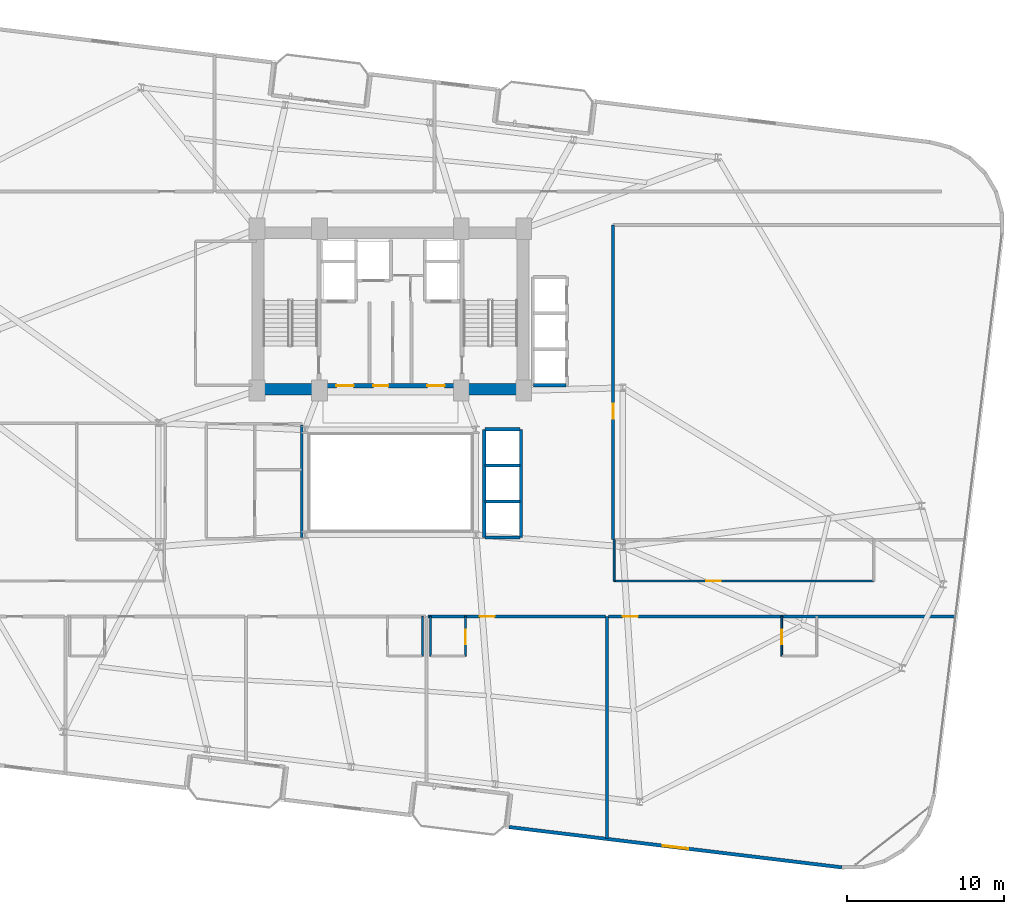
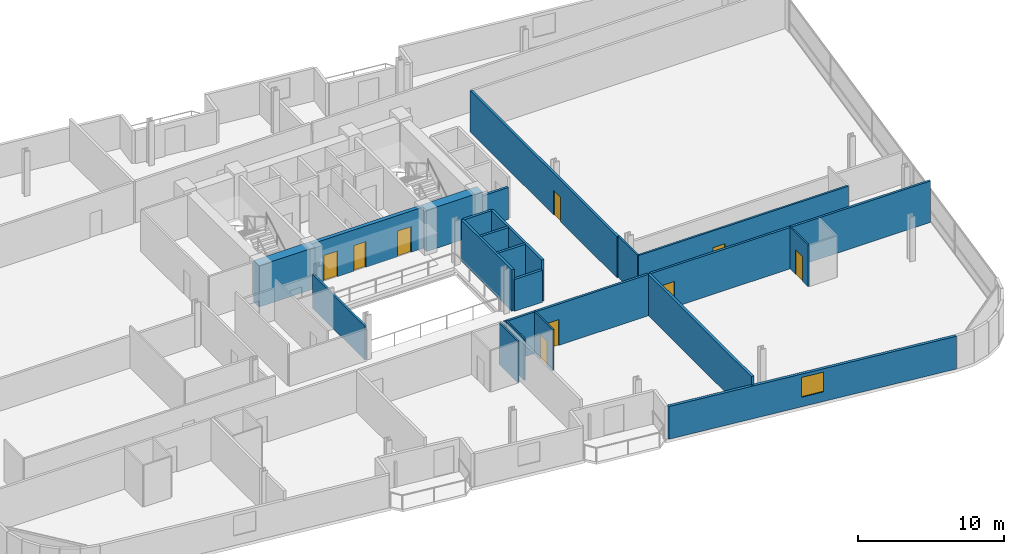
# One storey, part 21 of 25: 22 walls, 9 doors, 1 window, 10 openings.
"""IFC4 building model written with IfcOpenShell, lengths in metres."""

from ifc_helpers import new_model, si_unit, direction, frame, frame_2d, origin, place, context, subcontext, project, spatial, rectangle, extrude, material, layer, layer_set, type_object, element, fill, save


model = new_model("IFC4")

# Units and contexts
model_context = context("Model", 3, precision=1e-05, world=origin(), true_north=direction((0.0, 1.0)))
body_context = subcontext(model_context, "Body", "Model", "MODEL_VIEW")
ifc_project = project(units=[si_unit("LENGTHUNIT", "METRE"), si_unit("AREAUNIT", "SQUARE_METRE"), si_unit("VOLUMEUNIT", "CUBIC_METRE"), si_unit("PLANEANGLEUNIT", "RADIAN"), si_unit("MASSUNIT", "GRAM", prefix="KILO")], contexts=[model_context])

# Site, building, storey
site_placement = place(None, origin())
site = spatial("IfcSite", under=ifc_project, at=site_placement, CompositionType="ELEMENT")
building_placement = place(site_placement, origin())
building = spatial("IfcBuilding", under=site, at=building_placement, Name="Varnelok Gate Tower", CompositionType="ELEMENT")
storey_placement = place(building_placement, frame((0.0, 0.0, 136.5)))
storey = spatial("IfcBuildingStorey", under=building, at=storey_placement, Name="L34", CompositionType="ELEMENT", Elevation=136.5)

# Wall, opening, window
ifc_material_1 = material(Name="Concrete C45/55", Category="concrete")
ifc_layer_1 = layer(ifc_material_1, 0.219970703125)
ifc_layer_set_1 = layer_set([ifc_layer_1], Name="Concrete C45/55")
wall_type_1 = type_object("IfcWallType", Name="EW-BALC-220", PredefinedType="SOLIDWALL", material=ifc_layer_set_1)
wall_1_placement = place(storey_placement, frame((46.767578125, 0.93212890625, 0.0), z_axis=(0.0, 0.0, 1.0), x_axis=(0.992733036814, -0.120337515419, 0.0)))
wall_1 = element("IfcWall", 1, at=wall_1_placement, inside=storey, type_object=wall_type_1, Name="L34 Perimeter Facade Closure Wall 13", PredefinedType="SOLIDWALL", context=body_context, shape_type="SweptSolid", body=[
    extrude(rectangle(XDim=21.346923828125, YDim=0.219970703125, at=frame_2d((10.67333984375, 0.0))), origin(), (0.0, 0.0, 1.0), 2.72998046875),
])
opening_1_placement = place(wall_1_placement, frame((9.8486328125, 0.0, 0.800048828125)))
opening_1 = element("IfcOpeningElement", 2, at=opening_1_placement, cuts=wall_1, Name="Opening WN3", PredefinedType="OPENING", context=body_context, shape_type="SweptSolid", body=[
    extrude(rectangle(XDim=1.64990234375, YDim=1.64990234375, at=frame_2d((0.824951171875, 0.824951171875))), frame((0.0, 0.119873046875, 0.0), z_axis=(0.0, -1.0, 0.0), x_axis=(1.0, 0.0, 0.0)), (0.0, 0.0, 1.0), 0.239990234375),
])
ifc_material_2 = material(Name="Low-E Laminated Double Glazing IGU", Category="glass")
window_type = type_object("IfcWindowType", Name="WN-HTL-1650", PartitioningType="SINGLE_PANEL", PredefinedType="WINDOW", material=ifc_material_2)
window_placement = place(opening_1_placement, origin())
window = element("IfcWindow", 3, at=window_placement, inside=storey, type_object=window_type, Name="L34 Perimeter Vision Window 13", OverallHeight=1.64990234375, OverallWidth=1.64990234375, PartitioningType="SINGLE_PANEL", PredefinedType="WINDOW", context=body_context, shape_type="SweptSolid", body=[
    extrude(rectangle(XDim=1.64990234375, YDim=1.64990234375, at=frame_2d((0.824951171875, 0.824951171875))), frame((0.0, 0.030029296875, 0.0), z_axis=(0.0, -1.0, 0.0), x_axis=(1.0, 0.0, 0.0)), (0.0, 0.0, 1.0), 0.06005859375),
])
fill(opening_1, window)

# Wall, opening, door
ifc_material_3 = material(Name="Gypsum Plasterboard Acoustic Partition", Category="gypsum")
ifc_layer_2 = layer(ifc_material_3, 0.179931640625)
ifc_layer_set_2 = layer_set([ifc_layer_2], Name="Gypsum Plasterboard Acoustic Partition")
wall_type_2 = type_object("IfcWallType", Name="PW-CORR-180", PredefinedType="PARTITIONING", material=ifc_layer_set_2)
wall_2_placement = place(storey_placement, frame((41.580078125, 14.35009765625, 0.0), z_axis=(0.0, 0.0, 1.0), x_axis=(1.0, 0.0, 0.0)))
wall_2 = element("IfcWall", 4, at=wall_2_placement, inside=storey, type_object=wall_type_2, Name="Interior Partition", PredefinedType="PARTITIONING", context=body_context, shape_type="SweptSolid", body=[
    extrude(rectangle(XDim=11.33984375, YDim=0.179931640625, at=frame_2d((5.669921875, 0.0))), origin(), (0.0, 0.0, 1.0), 3.449951171875),
])
opening_2_placement = place(wall_2_placement, frame((3.313232421875, 0.0, 0.0)))
opening_2 = element("IfcOpeningElement", 5, at=opening_2_placement, cuts=wall_2, Name="Opening D-HT", PredefinedType="OPENING", context=body_context, shape_type="SweptSolid", body=[
    extrude(rectangle(XDim=0.949951171875, YDim=2.14990234375, at=frame_2d((0.47509765625, 1.074951171875))), frame((0.0, 0.099853515625, 0.0), z_axis=(0.0, -1.0, 0.0), x_axis=(1.0, 0.0, 0.0)), (0.0, 0.0, 1.0), 0.199951171875),
])
ifc_material_4 = material(Name="Engineered Hardwood Timber", Category="wood")
door_type_1 = type_object("IfcDoorType", Name="DR-HTL-950", OperationType="NOTDEFINED", PredefinedType="DOOR", material=ifc_material_4)
door_1_placement = place(opening_2_placement, origin())
door_1 = element("IfcDoor", 6, at=door_1_placement, inside=storey, type_object=door_type_1, Name="L34 Guest Room 04 Entrance Door", OperationType="SINGLE_SWING_LEFT", OverallHeight=2.14990234375, OverallWidth=0.949951171875, PredefinedType="DOOR", context=body_context, shape_type="SweptSolid", body=[
    extrude(rectangle(XDim=0.949951171875, YDim=2.14990234375, at=frame_2d((0.47509765625, 1.074951171875))), frame((0.0, 0.02490234375, 0.0), z_axis=(0.0, -1.0, 0.0), x_axis=(1.0, 0.0, 0.0)), (0.0, 0.0, 1.0), 0.050048828125),
])
fill(opening_2, door_1)

wall_3_placement = place(storey_placement, frame((53.080078125, 14.35009765625, 0.0), z_axis=(0.0, 0.0, 1.0), x_axis=(1.0, 0.0, 0.0)))
wall_3 = element("IfcWall", 7, at=wall_3_placement, inside=storey, type_object=wall_type_2, Name="Interior Partition", PredefinedType="PARTITIONING", context=body_context, shape_type="SweptSolid", body=[
    extrude(rectangle(XDim=22.083740234375, YDim=0.179931640625, at=frame_2d((11.0419921875, 0.0))), origin(), (0.0, 0.0, 1.0), 3.449951171875),
])
opening_3_placement = place(wall_3_placement, frame((0.93701171875, 0.0, 0.0)))
opening_3 = element("IfcOpeningElement", 8, at=opening_3_placement, cuts=wall_3, Name="Opening D-HT", PredefinedType="OPENING", context=body_context, shape_type="SweptSolid", body=[
    extrude(rectangle(XDim=0.949951171875, YDim=2.14990234375, at=frame_2d((0.47509765625, 1.074951171875))), frame((0.0, 0.099853515625, 0.0), z_axis=(0.0, -1.0, 0.0), x_axis=(1.0, 0.0, 0.0)), (0.0, 0.0, 1.0), 0.199951171875),
])
door_2_placement = place(opening_3_placement, origin())
door_2 = element("IfcDoor", 9, at=door_2_placement, inside=storey, type_object=door_type_1, Name="L34 Guest Room 05 Entrance Door", OperationType="SINGLE_SWING_RIGHT", OverallHeight=2.14990234375, OverallWidth=0.949951171875, PredefinedType="DOOR", context=body_context, shape_type="SweptSolid", body=[
    extrude(rectangle(XDim=0.949951171875, YDim=2.14990234375, at=frame_2d((0.47509765625, 1.074951171875))), frame((0.0, 0.02490234375, 0.0), z_axis=(0.0, -1.0, 0.0), x_axis=(1.0, 0.0, 0.0)), (0.0, 0.0, 1.0), 0.050048828125),
])
fill(opening_3, door_2)

wall_4_placement = place(storey_placement, frame((53.389892578125, 19.239990234375, 0.0), z_axis=(0.0, 0.0, 1.0), x_axis=(0.0, 1.0, 0.0)))
wall_4 = element("IfcWall", 10, at=wall_4_placement, inside=storey, type_object=wall_type_2, Name="Interior Partition", PredefinedType="PARTITIONING", context=body_context, shape_type="SweptSolid", body=[
    extrude(rectangle(XDim=20.06005859375, YDim=0.179931640625, at=frame_2d((10.030029296875, 0.0))), origin(), (0.0, 0.0, 1.0), 3.449951171875),
])
opening_4_placement = place(wall_4_placement, frame((7.699951171875, 0.0, 0.0)))
opening_4 = element("IfcOpeningElement", 11, at=opening_4_placement, cuts=wall_4, Name="Opening D-I2", PredefinedType="OPENING", context=body_context, shape_type="SweptSolid", body=[
    extrude(rectangle(XDim=0.949951171875, YDim=2.050048828125, at=frame_2d((0.47509765625, 1.02490234375))), frame((0.0, 0.099853515625, 0.0), z_axis=(0.0, -1.0, 0.0), x_axis=(1.0, 0.0, 0.0)), (0.0, 0.0, 1.0), 0.199951171875),
])
door_type_2 = type_object("IfcDoorType", Name="DR-INT-950", OperationType="NOTDEFINED", PredefinedType="DOOR", material=ifc_material_4)
door_3_placement = place(opening_4_placement, origin())
door_3 = element("IfcDoor", 12, at=door_3_placement, inside=storey, type_object=door_type_2, Name="L34 East Club Door", OperationType="SINGLE_SWING_RIGHT", OverallHeight=2.050048828125, OverallWidth=0.949951171875, PredefinedType="DOOR", context=body_context, shape_type="SweptSolid", body=[
    extrude(rectangle(XDim=0.949951171875, YDim=2.050048828125, at=frame_2d((0.47509765625, 1.02490234375))), frame((0.0, 0.02490234375, 0.0), z_axis=(0.0, -1.0, 0.0), x_axis=(1.0, 0.0, 0.0)), (0.0, 0.0, 1.0), 0.050048828125),
])
fill(opening_4, door_3)

# Wall
ifc_layer_3 = layer(ifc_material_3, 0.114990234375)
ifc_layer_set_3 = layer_set([ifc_layer_3], Name="Gypsum Plasterboard Acoustic Partition")
wall_type_3 = type_object("IfcWallType", Name="PW-ENS-125", PredefinedType="PARTITIONING", material=ifc_layer_set_3)
wall_5_placement = place(storey_placement, frame((41.239990234375, 11.830078125, 0.0), z_axis=(0.0, 0.0, 1.0), x_axis=(0.0, 1.0, 0.0)))
element("IfcWall", 13, at=wall_5_placement, inside=storey, type_object=wall_type_3, Name="Interior Partition", PredefinedType="PARTITIONING", context=body_context, shape_type="SweptSolid", body=[
    extrude(rectangle(XDim=2.52001953125, YDim=0.114990234375, at=frame_2d((1.260009765625, 0.0))), origin(), (0.0, 0.0, 1.0), 3.449951171875),
])

# Wall, opening, door
wall_6_placement = place(storey_placement, frame((43.989990234375, 11.830078125, 0.0), z_axis=(0.0, 0.0, 1.0), x_axis=(0.0, 1.0, 0.0)))
wall_6 = element("IfcWall", 14, at=wall_6_placement, inside=storey, type_object=wall_type_3, Name="Interior Partition", PredefinedType="PARTITIONING", context=body_context, shape_type="SweptSolid", body=[
    extrude(rectangle(XDim=2.52001953125, YDim=0.114990234375, at=frame_2d((1.260009765625, 0.0))), origin(), (0.0, 0.0, 1.0), 3.449951171875),
])
opening_5_placement = place(wall_6_placement, frame((0.760009765625, 0.0, 0.0)))
opening_5 = element("IfcOpeningElement", 15, at=opening_5_placement, cuts=wall_6, Name="Opening D-WC", PredefinedType="OPENING", context=body_context, shape_type="SweptSolid", body=[
    extrude(rectangle(XDim=0.89990234375, YDim=2.050048828125, at=frame_2d((0.449951171875, 1.02490234375))), frame((0.0, 0.0673828125, 0.0), z_axis=(0.0, -1.0, 0.0), x_axis=(1.0, 0.0, 0.0)), (0.0, 0.0, 1.0), 0.135009765625),
])
door_type_3 = type_object("IfcDoorType", Name="DR-BATH-900", OperationType="NOTDEFINED", PredefinedType="DOOR", material=ifc_material_4)
door_4_placement = place(opening_5_placement, origin())
door_4 = element("IfcDoor", 16, at=door_4_placement, inside=storey, type_object=door_type_3, Name="L34 Guest En-Suite 04 Door", OperationType="SINGLE_SWING_LEFT", OverallHeight=2.050048828125, OverallWidth=0.89990234375, PredefinedType="DOOR", context=body_context, shape_type="SweptSolid", body=[
    extrude(rectangle(XDim=0.89990234375, YDim=2.050048828125, at=frame_2d((0.449951171875, 1.02490234375))), frame((0.0, 0.02490234375, 0.0), z_axis=(0.0, -1.0, 0.0), x_axis=(1.0, 0.0, 0.0)), (0.0, 0.0, 1.0), 0.050048828125),
])
fill(opening_5, door_4)

# Wall
wall_7_placement = place(storey_placement, frame((41.760009765625, 11.830078125, 0.0), z_axis=(0.0, 0.0, 1.0), x_axis=(0.0, 1.0, 0.0)))
element("IfcWall", 17, at=wall_7_placement, inside=storey, type_object=wall_type_3, Name="Interior Partition", PredefinedType="PARTITIONING", context=body_context, shape_type="SweptSolid", body=[
    extrude(rectangle(XDim=2.52001953125, YDim=0.114990234375, at=frame_2d((1.260009765625, 0.0))), origin(), (0.0, 0.0, 1.0), 3.449951171875),
])

# Wall, opening, door
wall_8_placement = place(storey_placement, frame((64.1298828125, 11.830078125, 0.0), z_axis=(0.0, 0.0, 1.0), x_axis=(0.0, 1.0, 0.0)))
wall_8 = element("IfcWall", 18, at=wall_8_placement, inside=storey, type_object=wall_type_3, Name="Interior Partition", PredefinedType="PARTITIONING", context=body_context, shape_type="SweptSolid", body=[
    extrude(rectangle(XDim=2.52001953125, YDim=0.114990234375, at=frame_2d((1.260009765625, 0.0))), origin(), (0.0, 0.0, 1.0), 3.449951171875),
])
opening_6_placement = place(wall_8_placement, frame((0.760009765625, 0.0, 0.0)))
opening_6 = element("IfcOpeningElement", 19, at=opening_6_placement, cuts=wall_8, Name="Opening D-WC", PredefinedType="OPENING", context=body_context, shape_type="SweptSolid", body=[
    extrude(rectangle(XDim=0.89990234375, YDim=2.050048828125, at=frame_2d((0.449951171875, 1.02490234375))), frame((0.0, 0.0673828125, 0.0), z_axis=(0.0, -1.0, 0.0), x_axis=(1.0, 0.0, 0.0)), (0.0, 0.0, 1.0), 0.135009765625),
])
door_5_placement = place(opening_6_placement, origin())
door_5 = element("IfcDoor", 20, at=door_5_placement, inside=storey, type_object=door_type_3, Name="L34 Guest En-Suite 05 Door", OperationType="SINGLE_SWING_RIGHT", OverallHeight=2.050048828125, OverallWidth=0.89990234375, PredefinedType="DOOR", context=body_context, shape_type="SweptSolid", body=[
    extrude(rectangle(XDim=0.89990234375, YDim=2.050048828125, at=frame_2d((0.449951171875, 1.02490234375))), frame((0.0, 0.02490234375, 0.0), z_axis=(0.0, -1.0, 0.0), x_axis=(1.0, 0.0, 0.0)), (0.0, 0.0, 1.0), 0.050048828125),
])
fill(opening_6, door_5)

# Wall
ifc_layer_4 = layer(ifc_material_3, 0.125)
ifc_layer_set_4 = layer_set([ifc_layer_4], Name="Gypsum Plasterboard Acoustic Partition")
wall_type_4 = type_object("IfcWallType", Name="PW-PART-125", PredefinedType="PARTITIONING", material=ifc_layer_set_4)
wall_9_placement = place(storey_placement, frame((53.449951171875, 16.610107421875, 0.0), z_axis=(0.0, 0.0, 1.0), x_axis=(0.0, 1.0, 0.0)))
element("IfcWall", 21, at=wall_9_placement, inside=storey, type_object=wall_type_4, Name="Interior Partition", PredefinedType="PARTITIONING", context=body_context, shape_type="SweptSolid", body=[
    extrude(rectangle(XDim=2.6298828125, YDim=0.125, at=frame_2d((1.31494140625, 0.0))), origin(), (0.0, 0.0, 1.0), 3.449951171875),
])

# Wall, opening, door
ifc_layer_5 = layer(ifc_material_3, 0.14990234375)
ifc_layer_set_5 = layer_set([ifc_layer_5], Name="Gypsum Plasterboard Acoustic Partition")
wall_type_5 = type_object("IfcWallType", Name="PW-PART-150", PredefinedType="PARTITIONING", material=ifc_layer_set_5)
wall_10_placement = place(storey_placement, frame((53.449951171875, 16.610107421875, 0.0), z_axis=(0.0, 0.0, 1.0), x_axis=(1.0, 0.0, 0.0)))
wall_10 = element("IfcWall", 22, at=wall_10_placement, inside=storey, type_object=wall_type_5, Name="Interior Partition", PredefinedType="PARTITIONING", context=body_context, shape_type="SweptSolid", body=[
    extrude(rectangle(XDim=16.550048828125, YDim=0.14990234375, at=frame_2d((8.27490234375, 0.0))), origin(), (0.0, 0.0, 1.0), 3.449951171875),
])
opening_7_placement = place(wall_10_placement, frame((5.87255859375, 0.0, 0.0)))
opening_7 = element("IfcOpeningElement", 23, at=opening_7_placement, cuts=wall_10, Name="Opening D-I3", PredefinedType="OPENING", context=body_context, shape_type="SweptSolid", body=[
    extrude(rectangle(XDim=0.919921875, YDim=2.050048828125, at=frame_2d((0.4599609375, 1.02490234375))), frame((0.0, 0.0849609375, 0.0), z_axis=(0.0, -1.0, 0.0), x_axis=(1.0, 0.0, 0.0)), (0.0, 0.0, 1.0), 0.169921875),
])
door_type_4 = type_object("IfcDoorType", Name="DR-INT-920", OperationType="NOTDEFINED", PredefinedType="DOOR", material=ifc_material_4)
door_6_placement = place(opening_7_placement, origin())
door_6 = element("IfcDoor", 24, at=door_6_placement, inside=storey, type_object=door_type_4, Name="L34 Atrium Room 2 Door", OperationType="SINGLE_SWING_LEFT", OverallHeight=2.050048828125, OverallWidth=0.919921875, PredefinedType="DOOR", context=body_context, shape_type="SweptSolid", body=[
    extrude(rectangle(XDim=0.919921875, YDim=2.050048828125, at=frame_2d((0.4599609375, 1.02490234375))), frame((0.0, 0.02490234375, 0.0), z_axis=(0.0, -1.0, 0.0), x_axis=(1.0, 0.0, 0.0)), (0.0, 0.0, 1.0), 0.050048828125),
])
fill(opening_7, door_6)

# Walls
wall_11_placement = place(storey_placement, frame((33.56005859375, 19.3798828125, 0.0), z_axis=(0.0, 0.0, 1.0), x_axis=(0.0, 1.0, 0.0)))
element("IfcWall", 25, at=wall_11_placement, inside=storey, type_object=wall_type_5, Name="Interior Partition", PredefinedType="PARTITIONING", context=body_context, shape_type="SweptSolid", body=[
    extrude(rectangle(XDim=7.16015625, YDim=0.14990234375, at=frame_2d((3.580078125, 0.0))), origin(), (0.0, 0.0, 1.0), 2.823974609375),
])
ifc_layer_6 = layer(ifc_material_3, 0.205078125)
ifc_layer_set_6 = layer_set([ifc_layer_6], Name="Gypsum Plasterboard Acoustic Partition")
wall_type_6 = type_object("IfcWallType", Name="PW-PARTY-200", PredefinedType="PARTITIONING", material=ifc_layer_set_6)
wall_12_placement = place(storey_placement, frame((53.0, 0.19677734375, 0.0), z_axis=(0.0, 0.0, 1.0), x_axis=(0.0, 1.0, 0.0)))
element("IfcWall", 26, at=wall_12_placement, inside=storey, type_object=wall_type_6, Name="L34 South Party Wall 4", PredefinedType="PARTITIONING", context=body_context, shape_type="SweptSolid", body=[
    extrude(rectangle(XDim=14.1533203125, YDim=0.205078125, at=frame_2d((7.07666015625, 0.0))), origin(), (0.0, 0.0, 1.0), 3.449951171875),
])
ifc_material_5 = material(Name="Concrete C35/45", Category="concrete")
ifc_layer_7 = layer(ifc_material_5, 0.199951171875)
ifc_layer_set_7 = layer_set([ifc_layer_7], Name="Concrete C35/45")
wall_type_7 = type_object("IfcWallType", Name="PW-SHAFT-200", PredefinedType="PARTITIONING", material=ifc_layer_set_7)
wall_13_placement = place(storey_placement, frame((48.320068359375, 29.080078125, 0.0), z_axis=(0.0, 0.0, 1.0), x_axis=(1.0, 0.0, 0.0)))
element("IfcWall", 27, at=wall_13_placement, inside=storey, type_object=wall_type_7, Name="L34 PM Bank South Wall", PredefinedType="PARTITIONING", context=body_context, shape_type="SweptSolid", body=[
    extrude(rectangle(XDim=2.059814453125, YDim=0.199951171875, at=frame_2d((1.02978515625, 0.0))), origin(), (0.0, 0.0, 1.0), 2.662109375),
])
for number, where, z_axis, x_axis, name in (
    (28, (45.239990234375, 21.675048828125, 0.0), (0.0, 0.0, 1.0), (1.0, 0.0, 0.0), "L34 PH1 Divider"),
    (29, (45.239990234375, 23.97509765625, 0.0), (0.0, 0.0, 1.0), (1.0, 0.0, 0.0), "L34 PH2 Divider"),
):
    element("IfcWall", number, at=place(storey_placement, frame(where, z_axis=z_axis, x_axis=x_axis)), inside=storey, type_object=wall_type_7, Name=name, PredefinedType="PARTITIONING", context=body_context, shape_type="SweptSolid", body=[
        extrude(rectangle(XDim=2.219970703125, YDim=0.199951171875, at=frame_2d((1.10986328125, 0.0))), origin(), (0.0, 0.0, 1.0), 3.449951171875),
    ])
wall_14_placement = place(storey_placement, frame((45.239990234375, 19.3798828125, 0.0), z_axis=(0.0, 0.0, 1.0), x_axis=(1.0, 0.0, 0.0)))
element("IfcWall", 30, at=wall_14_placement, inside=storey, type_object=wall_type_7, Name="L34 PH Bank South Wall", PredefinedType="PARTITIONING", context=body_context, shape_type="SweptSolid", body=[
    extrude(rectangle(XDim=2.219970703125, YDim=0.199951171875, at=frame_2d((1.10986328125, 0.0))), origin(), (0.0, 0.0, 1.0), 2.662109375),
])
wall_15_placement = place(storey_placement, frame((45.239990234375, 26.280029296875, 0.0), z_axis=(0.0, 0.0, 1.0), x_axis=(1.0, 0.0, 0.0)))
element("IfcWall", 31, at=wall_15_placement, inside=storey, type_object=wall_type_7, Name="L34 PH Bank North Wall", PredefinedType="PARTITIONING", context=body_context, shape_type="SweptSolid", body=[
    extrude(rectangle(XDim=2.219970703125, YDim=0.199951171875, at=frame_2d((1.10986328125, 0.0))), origin(), (0.0, 0.0, 1.0), 3.449951171875),
])
for number, where, z_axis, x_axis, name in (
    (32, (45.179931640625, 19.3798828125, 0.0), (0.0, 0.0, 1.0), (0.0, 1.0, 0.0), "L34 PH Bank Atrium Wall"),
    (33, (47.52001953125, 19.3798828125, 0.0), (0.0, 0.0, 1.0), (0.0, 1.0, 0.0), "L34 PH Bank Front Wall"),
):
    element("IfcWall", number, at=place(storey_placement, frame(where, z_axis=z_axis, x_axis=x_axis)), inside=storey, type_object=wall_type_7, Name=name, PredefinedType="PARTITIONING", context=body_context, shape_type="SweptSolid", body=[
        extrude(rectangle(XDim=6.900146484375, YDim=0.199951171875, at=frame_2d((3.4501953125, 0.0))), origin(), (0.0, 0.0, 1.0), 3.449951171875),
    ])
ifc_material_6 = material(Name="Concrete C70/85", Category="concrete")
ifc_layer_8 = layer(ifc_material_6, 0.75)
ifc_layer_set_8 = layer_set([ifc_layer_8], Name="Concrete C70/85")
wall_type_8 = type_object("IfcWallType", Name="SW-CORE-750", PredefinedType="SHEAR", material=ifc_layer_set_8)
wall_16_placement = place(storey_placement, frame((30.3798828125, 28.824951171875, 0.0), z_axis=(0.0, 0.0, 1.0), x_axis=(1.0, 0.0, 0.0)))
element("IfcWall", 34, at=wall_16_placement, inside=storey, type_object=wall_type_8, Name="L34 Rear Core South-West Shear Wall", PredefinedType="SHEAR", context=body_context, shape_type="SweptSolid", body=[
    extrude(rectangle(XDim=4.420166015625, YDim=0.75, at=frame_2d((2.2099609375, 0.0))), origin(), (0.0, 0.0, 1.0), 3.449951171875),
])
wall_17_placement = place(storey_placement, frame((43.60009765625, 28.824951171875, 0.0), z_axis=(0.0, 0.0, 1.0), x_axis=(1.0, 0.0, 0.0)))
element("IfcWall", 35, at=wall_17_placement, inside=storey, type_object=wall_type_8, Name="L34 Rear Core South-East Shear Wall", PredefinedType="SHEAR", context=body_context, shape_type="SweptSolid", body=[
    extrude(rectangle(XDim=4.419921875, YDim=0.75, at=frame_2d((2.2099609375, 0.0))), origin(), (0.0, 0.0, 1.0), 3.449951171875),
])

# Wall, openings, doors
ifc_material_7 = material(Name="Concrete C60/75", Category="concrete")
ifc_layer_9 = layer(ifc_material_7, 0.300048828125)
ifc_layer_set_9 = layer_set([ifc_layer_9], Name="Concrete C60/75")
wall_type_9 = type_object("IfcWallType", Name="SW-SHAFT-300", PredefinedType="SHEAR", material=ifc_layer_set_9)
wall_18_placement = place(storey_placement, frame((34.800048828125, 29.050048828125, 0.0), z_axis=(0.0, 0.0, 1.0), x_axis=(1.0, 0.0, 0.0)))
wall_18 = element("IfcWall", 36, at=wall_18_placement, inside=storey, type_object=wall_type_9, Name="L34 Rear Core Central Lobby Shear Wall", PredefinedType="SHEAR", context=body_context, shape_type="SweptSolid", body=[
    extrude(rectangle(XDim=8.800048828125, YDim=0.300048828125, at=frame_2d((4.39990234375, 0.0))), origin(), (0.0, 0.0, 1.0), 3.449951171875),
])
opening_8_placement = place(wall_18_placement, frame((0.949951171875, 0.0, 0.0)))
opening_8 = element("IfcOpeningElement", 37, at=opening_8_placement, cuts=wall_18, Name="Opening D-FF", PredefinedType="OPENING", context=body_context, shape_type="SweptSolid", body=[
    extrude(rectangle(XDim=1.10009765625, YDim=2.14990234375, at=frame_2d((0.550048828125, 1.074951171875))), frame((0.0, 0.159912109375, 0.0), z_axis=(0.0, -1.0, 0.0), x_axis=(1.0, 0.0, 0.0)), (0.0, 0.0, 1.0), 0.320068359375),
])
opening_9_placement = place(wall_18_placement, frame((6.75, 0.0, 0.0)))
opening_9 = element("IfcOpeningElement", 38, at=opening_9_placement, cuts=wall_18, Name="Opening D-FF", PredefinedType="OPENING", context=body_context, shape_type="SweptSolid", body=[
    extrude(rectangle(XDim=1.10009765625, YDim=2.14990234375, at=frame_2d((0.550048828125, 1.074951171875))), frame((0.0, 0.159912109375, 0.0), z_axis=(0.0, -1.0, 0.0), x_axis=(1.0, 0.0, 0.0)), (0.0, 0.0, 1.0), 0.320068359375),
])
opening_10_placement = place(wall_18_placement, frame((3.320068359375, 0.0, 0.0)))
opening_10 = element("IfcOpeningElement", 39, at=opening_10_placement, cuts=wall_18, Name="Opening D-CR", PredefinedType="OPENING", context=body_context, shape_type="SweptSolid", body=[
    extrude(rectangle(XDim=0.949951171875, YDim=2.14990234375, at=frame_2d((0.47509765625, 1.074951171875))), frame((0.0, 0.159912109375, 0.0), z_axis=(0.0, -1.0, 0.0), x_axis=(1.0, 0.0, 0.0)), (0.0, 0.0, 1.0), 0.320068359375),
])
ifc_material_8 = material(Name="Galvanized Steel Grade S350GD", Category="steel")
door_type_5 = type_object("IfcDoorType", Name="DR-CORR-950", OperationType="NOTDEFINED", PredefinedType="DOOR", material=ifc_material_8)
door_7_placement = place(opening_10_placement, origin())
door_7 = element("IfcDoor", 40, at=door_7_placement, inside=storey, type_object=door_type_5, Name="L34 Core Service Passage Door", OperationType="SINGLE_SWING_LEFT", OverallHeight=2.14990234375, OverallWidth=0.949951171875, PredefinedType="DOOR", context=body_context, shape_type="SweptSolid", body=[
    extrude(rectangle(XDim=0.949951171875, YDim=2.14990234375, at=frame_2d((0.47509765625, 1.074951171875))), frame((0.0, 0.02490234375, 0.0), z_axis=(0.0, -1.0, 0.0), x_axis=(1.0, 0.0, 0.0)), (0.0, 0.0, 1.0), 0.050048828125),
])
fill(opening_10, door_7)
door_type_6 = type_object("IfcDoorType", Name="DR-FFLOB-1100", OperationType="NOTDEFINED", PredefinedType="DOOR", material=ifc_material_8)
door_8_placement = place(opening_8_placement, origin())
door_8 = element("IfcDoor", 41, at=door_8_placement, inside=storey, type_object=door_type_6, Name="L34 West Firefighting Lobby Fire Door", OperationType="SINGLE_SWING_RIGHT", OverallHeight=2.14990234375, OverallWidth=1.10009765625, PredefinedType="DOOR", context=body_context, shape_type="SweptSolid", body=[
    extrude(rectangle(XDim=1.10009765625, YDim=2.14990234375, at=frame_2d((0.550048828125, 1.074951171875))), frame((0.0, 0.02490234375, 0.0), z_axis=(0.0, -1.0, 0.0), x_axis=(1.0, 0.0, 0.0)), (0.0, 0.0, 1.0), 0.050048828125),
])
fill(opening_8, door_8)
door_9_placement = place(opening_9_placement, origin())
door_9 = element("IfcDoor", 42, at=door_9_placement, inside=storey, type_object=door_type_6, Name="L34 East Firefighting Lobby Fire Door", OperationType="SINGLE_SWING_LEFT", OverallHeight=2.14990234375, OverallWidth=1.10009765625, PredefinedType="DOOR", context=body_context, shape_type="SweptSolid", body=[
    extrude(rectangle(XDim=1.10009765625, YDim=2.14990234375, at=frame_2d((0.550048828125, 1.074951171875))), frame((0.0, 0.02490234375, 0.0), z_axis=(0.0, -1.0, 0.0), x_axis=(1.0, 0.0, 0.0)), (0.0, 0.0, 1.0), 0.050048828125),
])
fill(opening_9, door_9)

save(model, "model.ifc")
